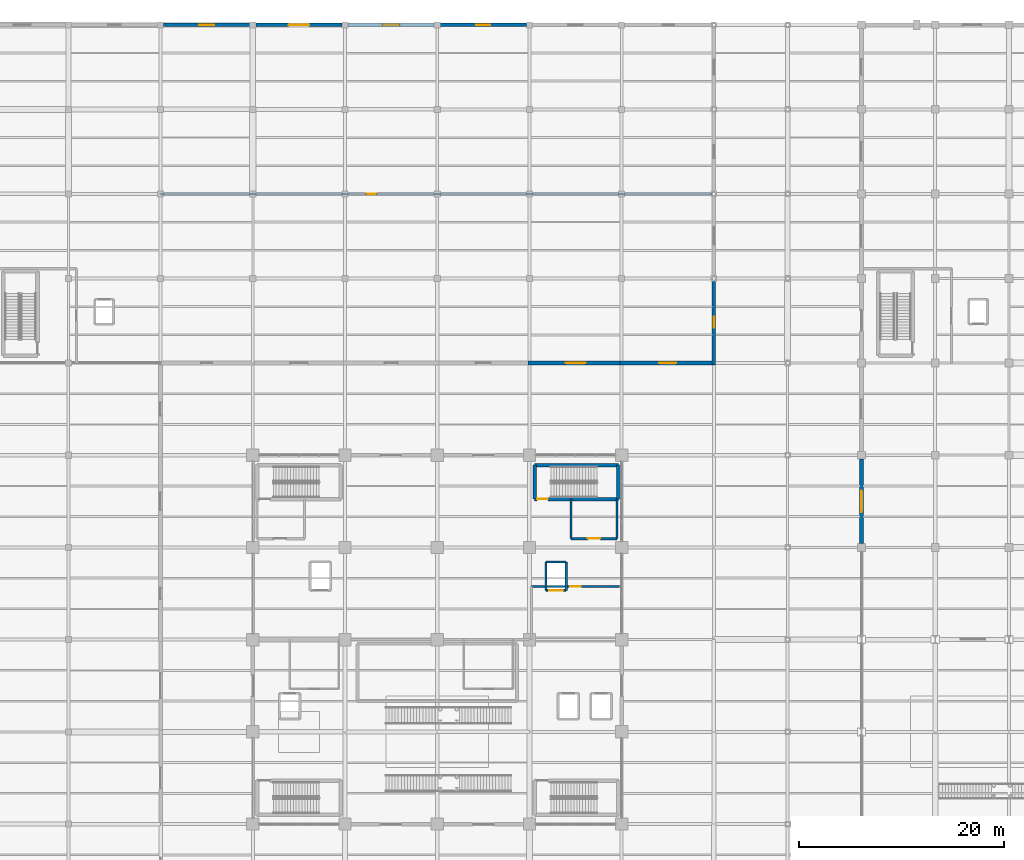
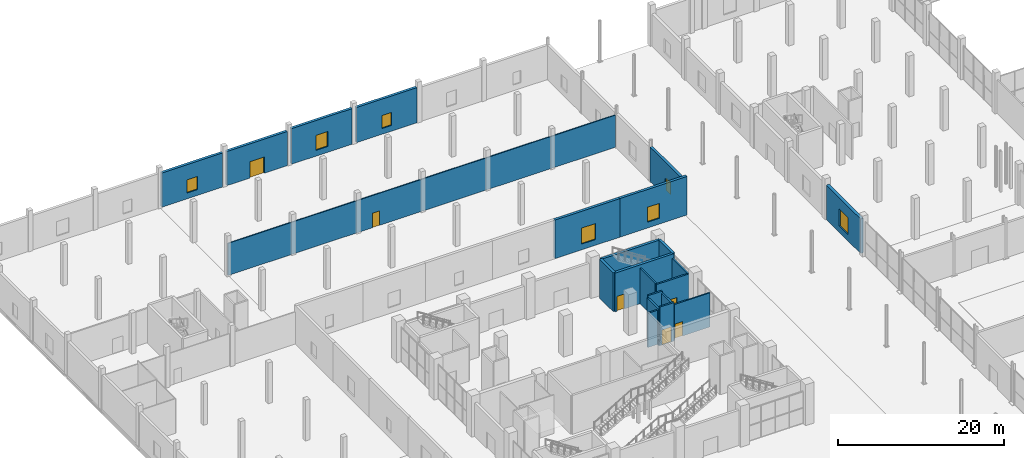
# One storey, part 128 of 144: 21 walls, 7 windows, 6 doors, 13 openings.
"""IFC4 building model written with IfcOpenShell, lengths in metres."""

from ifc_helpers import new_model, si_unit, direction, frame, frame_2d, origin, place, context, subcontext, project, spatial, rectangle, extrude, material, layer, layer_set, type_object, element, fill, save


model = new_model("IFC4")

# Units and contexts
model_context = context("Model", 3, precision=1e-05, world=origin(), true_north=direction((0.0, 1.0)))
body_context = subcontext(model_context, "Body", "Model", "MODEL_VIEW")
ifc_project = project(units=[si_unit("LENGTHUNIT", "METRE"), si_unit("AREAUNIT", "SQUARE_METRE"), si_unit("VOLUMEUNIT", "CUBIC_METRE"), si_unit("PLANEANGLEUNIT", "RADIAN"), si_unit("MASSUNIT", "GRAM", prefix="KILO")], contexts=[model_context])

# Site, building, storey
site_placement = place(None, origin())
site = spatial("IfcSite", under=ifc_project, at=site_placement, CompositionType="ELEMENT")
building_placement = place(site_placement, origin())
building = spatial("IfcBuilding", under=site, at=building_placement, Name="Sundgate Opera House", CompositionType="ELEMENT")
storey_placement = place(building_placement, origin())
storey = spatial("IfcBuildingStorey", under=building, at=storey_placement, Name="L00", CompositionType="ELEMENT", Elevation=0.0)

# Wall, opening, door
ifc_material_1 = material(Name="Concrete C40/50", Category="concrete")
ifc_layer_1 = layer(ifc_material_1, 0.35009765625)
ifc_layer_set_1 = layer_set([ifc_layer_1], Name="Concrete C40/50")
wall_type_1 = type_object("IfcWallType", Name="WL-CORE-350", PredefinedType="SHEAR", material=ifc_layer_set_1)
wall_1_placement = place(storey_placement, frame((63.510009765625, 73.7099609375, 0.0), z_axis=(0.0, 0.0, 1.0), x_axis=(1.0, 0.0, 0.0)))
wall_1 = element("IfcWall", 1, at=wall_1_placement, inside=storey, type_object=wall_type_1, Name="L00 C4 South Shaft Wall", PredefinedType="SHEAR", context=body_context, shape_type="SweptSolid", body=[
    extrude(rectangle(XDim=8.179931640625, YDim=0.35009765625, at=frame_2d((4.08984375, 0.0))), origin(), (0.0, 0.0, 1.0), 5.699951171875),
])
opening_1_placement = place(wall_1_placement, frame((0.239990234375, 0.0, 0.0)))
opening_1 = element("IfcOpeningElement", 2, at=opening_1_placement, cuts=wall_1, Name="Opening DI01", PredefinedType="OPENING", context=body_context, shape_type="SweptSolid", body=[
    extrude(rectangle(XDim=1.050048828125, YDim=2.179931640625, at=frame_2d((0.52490234375, 1.08984375))), frame((0.0, 0.18505859375, 0.0), z_axis=(0.0, -1.0, 0.0), x_axis=(1.0, 0.0, 0.0)), (0.0, 0.0, 1.0), 0.3701171875),
])
ifc_material_2 = material(Name="Acoustic hardwood timber and steel core", Category="steel")
door_type_1 = type_object("IfcDoorType", Name="DR-STAIR-1050x2180", OperationType="NOTDEFINED", PredefinedType="DOOR", material=ifc_material_2)
door_1_placement = place(opening_1_placement, origin())
door_1 = element("IfcDoor", 3, at=door_1_placement, inside=storey, type_object=door_type_1, Name="L00 C4 Stair Door D0058", OperationType="SINGLE_SWING_RIGHT", OverallHeight=2.179931640625, OverallWidth=1.050048828125, PredefinedType="DOOR", context=body_context, shape_type="SweptSolid", body=[
    extrude(rectangle(XDim=1.050048828125, YDim=2.179931640625, at=frame_2d((0.52490234375, 1.08984375))), frame((0.0, 0.02490234375, 0.0), z_axis=(0.0, -1.0, 0.0), x_axis=(1.0, 0.0, 0.0)), (0.0, 0.0, 1.0), 0.050048828125),
])
fill(opening_1, door_1)

# Walls
wall_2_placement = place(storey_placement, frame((63.510009765625, 77.0400390625, 0.0), z_axis=(0.0, 0.0, 1.0), x_axis=(1.0, 0.0, 0.0)))
element("IfcWall", 4, at=wall_2_placement, inside=storey, type_object=wall_type_1, Name="L00 C4 North Shaft Wall", PredefinedType="SHEAR", context=body_context, shape_type="SweptSolid", body=[
    extrude(rectangle(XDim=8.179931640625, YDim=0.35009765625, at=frame_2d((4.08984375, 0.0))), origin(), (0.0, 0.0, 1.0), 5.699951171875),
])
for number, where, z_axis, x_axis, name in (
    (5, (63.510009765625, 73.7099609375, 0.0), (0.0, 0.0, 1.0), (0.0, 1.0, 0.0), "L00 C4 West Shaft Wall"),
    (6, (71.68994140625, 73.7099609375, 0.0), (0.0, 0.0, 1.0), (0.0, 1.0, 0.0), "L00 C4 East Shaft Wall"),
):
    element("IfcWall", number, at=place(storey_placement, frame(where, z_axis=z_axis, x_axis=x_axis)), inside=storey, type_object=wall_type_1, Name=name, PredefinedType="SHEAR", context=body_context, shape_type="SweptSolid", body=[
        extrude(rectangle(XDim=3.330078125, YDim=0.35009765625, at=frame_2d((1.6650390625, 0.0))), origin(), (0.0, 0.0, 1.0), 5.699951171875),
    ])

# Wall, opening, window
ifc_material_3 = material(Name="Scanian red-brown facing brick masonry", Category="masonry")
ifc_layer_2 = layer(ifc_material_3, 0.360107421875)
ifc_layer_set_2 = layer_set([ifc_layer_2], Name="Scanian red-brown facing brick masonry")
wall_type_2 = type_object("IfcWallType", Name="WL-EXT-BRICK-360", PredefinedType="SOLIDWALL", material=ifc_layer_set_2)
wall_3_placement = place(storey_placement, frame((27.294921875, 120.0, 0.0), z_axis=(0.0, 0.0, 1.0), x_axis=(1.0, 0.0, 0.0)))
wall_3 = element("IfcWall", 7, at=wall_3_placement, inside=storey, type_object=wall_type_2, Name="L00 Costume Wing North Wall W0350", PredefinedType="SOLIDWALL", context=body_context, shape_type="SweptSolid", body=[
    extrude(rectangle(XDim=8.41015625, YDim=0.360107421875, at=frame_2d((4.205078125, 0.0))), origin(), (0.0, 0.0, 1.0), 5.014892578125),
])
opening_2_placement = place(wall_3_placement, frame((3.47998046875, 0.0, 0.85009765625)))
opening_2 = element("IfcOpeningElement", 8, at=opening_2_placement, cuts=wall_3, Name="Opening W15", PredefinedType="OPENING", context=body_context, shape_type="SweptSolid", body=[
    extrude(rectangle(XDim=1.449951171875, YDim=1.949951171875, at=frame_2d((0.72509765625, 0.97509765625))), frame((0.0, 0.18994140625, 0.0), z_axis=(0.0, -1.0, 0.0), x_axis=(1.0, 0.0, 0.0)), (0.0, 0.0, 1.0), 0.380126953125),
])
ifc_material_4 = material(Name="Low-iron triple glazing in patinated bronze frame", Category="glass")
window_type_1 = type_object("IfcWindowType", Name="WN-LIBR-1450x1950", PartitioningType="SINGLE_PANEL", PredefinedType="WINDOW", material=ifc_material_4)
window_1_placement = place(opening_2_placement, origin())
window_1 = element("IfcWindow", 9, at=window_1_placement, inside=storey, type_object=window_type_1, Name="L00 Costume Pavilion Window WN0267", OverallHeight=1.949951171875, OverallWidth=1.449951171875, PartitioningType="SINGLE_PANEL", PredefinedType="WINDOW", context=body_context, shape_type="SweptSolid", body=[
    extrude(rectangle(XDim=1.449951171875, YDim=1.949951171875, at=frame_2d((0.72509765625, 0.97509765625))), frame((0.0, 0.030029296875, 0.0), z_axis=(0.0, -1.0, 0.0), x_axis=(1.0, 0.0, 0.0)), (0.0, 0.0, 1.0), 0.06005859375),
])
fill(opening_2, window_1)

# Wall, opening, door
wall_4_placement = place(storey_placement, frame((36.294921875, 120.0, 0.0), z_axis=(0.0, 0.0, 1.0), x_axis=(1.0, 0.0, 0.0)))
wall_4 = element("IfcWall", 10, at=wall_4_placement, inside=storey, type_object=wall_type_2, Name="L00 Costume Wing North Wall W0351", PredefinedType="SOLIDWALL", context=body_context, shape_type="SweptSolid", body=[
    extrude(rectangle(XDim=8.41015625, YDim=0.360107421875, at=frame_2d((4.205078125, 0.0))), origin(), (0.0, 0.0, 1.0), 5.014892578125),
])
opening_3_placement = place(wall_4_placement, frame((3.205078125, 0.0, 0.0)))
opening_3 = element("IfcOpeningElement", 11, at=opening_3_placement, cuts=wall_4, Name="Opening DE1", PredefinedType="OPENING", context=body_context, shape_type="SweptSolid", body=[
    extrude(rectangle(XDim=2.0, YDim=2.39990234375, at=frame_2d((1.0, 1.199951171875))), frame((0.0, 0.18994140625, 0.0), z_axis=(0.0, -1.0, 0.0), x_axis=(1.0, 0.0, 0.0)), (0.0, 0.0, 1.0), 0.380126953125),
])
ifc_material_5 = material(Name="Patinated bronze and laminated safety glass", Category="glass")
door_type_2 = type_object("IfcDoorType", Name="DR-EXIT-2000x2400", OperationType="NOTDEFINED", PredefinedType="DOOR", material=ifc_material_5)
door_2_placement = place(opening_3_placement, origin())
door_2 = element("IfcDoor", 12, at=door_2_placement, inside=storey, type_object=door_type_2, Name="L00 Final Exit Door E18", OperationType="DOUBLE_DOOR_SINGLE_SWING", OverallHeight=2.39990234375, OverallWidth=2.0, PredefinedType="DOOR", context=body_context, shape_type="SweptSolid", body=[
    extrude(rectangle(XDim=2.0, YDim=2.39990234375, at=frame_2d((1.0, 1.199951171875))), frame((0.0, 0.02490234375, 0.0), z_axis=(0.0, -1.0, 0.0), x_axis=(1.0, 0.0, 0.0)), (0.0, 0.0, 1.0), 0.050048828125),
])
fill(opening_3, door_2)

# Wall, opening, window
wall_5_placement = place(storey_placement, frame((45.294921875, 120.0, 0.0), z_axis=(0.0, 0.0, 1.0), x_axis=(1.0, 0.0, 0.0)))
wall_5 = element("IfcWall", 13, at=wall_5_placement, inside=storey, type_object=wall_type_2, Name="L00 Costume Wing North Wall W0352", PredefinedType="SOLIDWALL", context=body_context, shape_type="SweptSolid", body=[
    extrude(rectangle(XDim=8.41015625, YDim=0.360107421875, at=frame_2d((4.205078125, 0.0))), origin(), (0.0, 0.0, 1.0), 5.22509765625),
])
opening_4_placement = place(wall_5_placement, frame((3.3798828125, 0.0, 0.85009765625)))
opening_4 = element("IfcOpeningElement", 14, at=opening_4_placement, cuts=wall_5, Name="Opening W09", PredefinedType="OPENING", context=body_context, shape_type="SweptSolid", body=[
    extrude(rectangle(XDim=1.64990234375, YDim=2.199951171875, at=frame_2d((0.824951171875, 1.10009765625))), frame((0.0, 0.18994140625, 0.0), z_axis=(0.0, -1.0, 0.0), x_axis=(1.0, 0.0, 0.0)), (0.0, 0.0, 1.0), 0.380126953125),
])
ifc_material_6 = material(Name="Low-iron triple glazing in patinated bronze frame", Category="glass")
window_type_2 = type_object("IfcWindowType", Name="WN-COST-1650x2200", PartitioningType="SINGLE_PANEL", PredefinedType="WINDOW", material=ifc_material_6)
window_2_placement = place(opening_4_placement, origin())
window_2 = element("IfcWindow", 15, at=window_2_placement, inside=storey, type_object=window_type_2, Name="L00 Costume Pavilion Window WN0268", OverallHeight=2.199951171875, OverallWidth=1.64990234375, PartitioningType="SINGLE_PANEL", PredefinedType="WINDOW", context=body_context, shape_type="SweptSolid", body=[
    extrude(rectangle(XDim=1.64990234375, YDim=2.199951171875, at=frame_2d((0.824951171875, 1.10009765625))), frame((0.0, 0.030029296875, 0.0), z_axis=(0.0, -1.0, 0.0), x_axis=(1.0, 0.0, 0.0)), (0.0, 0.0, 1.0), 0.06005859375),
])
fill(opening_4, window_2)

wall_6_placement = place(storey_placement, frame((54.294921875, 120.0, 0.0), z_axis=(0.0, 0.0, 1.0), x_axis=(1.0, 0.0, 0.0)))
wall_6 = element("IfcWall", 16, at=wall_6_placement, inside=storey, type_object=wall_type_2, Name="L00 Costume Wing North Wall W0353", PredefinedType="SOLIDWALL", context=body_context, shape_type="SweptSolid", body=[
    extrude(rectangle(XDim=8.41015625, YDim=0.360107421875, at=frame_2d((4.205078125, 0.0))), origin(), (0.0, 0.0, 1.0), 5.1650390625),
])
opening_5_placement = place(wall_6_placement, frame((3.530029296875, 0.0, 0.85009765625)))
opening_5 = element("IfcOpeningElement", 17, at=opening_5_placement, cuts=wall_6, Name="Opening W10", PredefinedType="OPENING", context=body_context, shape_type="SweptSolid", body=[
    extrude(rectangle(XDim=1.35009765625, YDim=1.89990234375, at=frame_2d((0.675048828125, 0.949951171875))), frame((0.0, 0.18994140625, 0.0), z_axis=(0.0, -1.0, 0.0), x_axis=(1.0, 0.0, 0.0)), (0.0, 0.0, 1.0), 0.380126953125),
])
ifc_material_7 = material(Name="Low-iron triple glazing in patinated bronze frame", Category="glass")
window_type_3 = type_object("IfcWindowType", Name="WN-COST-1350x1900", PartitioningType="SINGLE_PANEL", PredefinedType="WINDOW", material=ifc_material_7)
window_3_placement = place(opening_5_placement, origin())
window_3 = element("IfcWindow", 18, at=window_3_placement, inside=storey, type_object=window_type_3, Name="L00 Costume Pavilion Window WN0269", OverallHeight=1.89990234375, OverallWidth=1.35009765625, PartitioningType="SINGLE_PANEL", PredefinedType="WINDOW", context=body_context, shape_type="SweptSolid", body=[
    extrude(rectangle(XDim=1.35009765625, YDim=1.89990234375, at=frame_2d((0.675048828125, 0.949951171875))), frame((0.0, 0.030029296875, 0.0), z_axis=(0.0, -1.0, 0.0), x_axis=(1.0, 0.0, 0.0)), (0.0, 0.0, 1.0), 0.06005859375),
])
fill(opening_5, window_3)

wall_7_placement = place(storey_placement, frame((81.0, 86.840087890625, 0.0), z_axis=(0.0, 0.0, 1.0), x_axis=(0.0, 1.0, 0.0)))
wall_7 = element("IfcWall", 19, at=wall_7_placement, inside=storey, type_object=wall_type_2, Name="L00 Costume Wing East Wall W0360", PredefinedType="SOLIDWALL", context=body_context, shape_type="SweptSolid", body=[
    extrude(rectangle(XDim=8.27783203125, YDim=0.360107421875, at=frame_2d((4.138916015625, 0.0))), origin(), (0.0, 0.0, 1.0), 5.06494140625),
])
opening_6_placement = place(wall_7_placement, frame((3.589111328125, 0.0, 0.85009765625)))
opening_6 = element("IfcOpeningElement", 20, at=opening_6_placement, cuts=wall_7, Name="Opening W12", PredefinedType="OPENING", context=body_context, shape_type="SweptSolid", body=[
    extrude(rectangle(XDim=1.10009765625, YDim=1.800048828125, at=frame_2d((0.550048828125, 0.89990234375))), frame((0.0, 0.18994140625, 0.0), z_axis=(0.0, -1.0, 0.0), x_axis=(1.0, 0.0, 0.0)), (0.0, 0.0, 1.0), 0.380126953125),
])
ifc_material_8 = material(Name="Low-iron triple glazing in patinated bronze frame", Category="glass")
window_type_4 = type_object("IfcWindowType", Name="WN-STAGE-1100x1800", PartitioningType="SINGLE_PANEL", PredefinedType="WINDOW", material=ifc_material_8)
window_4_placement = place(opening_6_placement, origin())
window_4 = element("IfcWindow", 21, at=window_4_placement, inside=storey, type_object=window_type_4, Name="L00 Costume Pavilion Window WN0275", OverallHeight=1.800048828125, OverallWidth=1.10009765625, PartitioningType="SINGLE_PANEL", PredefinedType="WINDOW", context=body_context, shape_type="SweptSolid", body=[
    extrude(rectangle(XDim=1.10009765625, YDim=1.800048828125, at=frame_2d((0.550048828125, 0.89990234375))), frame((0.0, 0.030029296875, 0.0), z_axis=(0.0, -1.0, 0.0), x_axis=(1.0, 0.0, 0.0)), (0.0, 0.0, 1.0), 0.06005859375),
])
fill(opening_6, window_4)

wall_8_placement = place(storey_placement, frame((72.159912109375, 87.0, 0.0), z_axis=(0.0, 0.0, 1.0), x_axis=(-1.0, 0.0, 0.0)))
wall_8 = element("IfcWall", 22, at=wall_8_placement, inside=storey, type_object=wall_type_2, Name="L00 Costume Wing South Wall W0374", PredefinedType="SOLIDWALL", context=body_context, shape_type="SweptSolid", body=[
    extrude(rectangle(XDim=9.31982421875, YDim=0.360107421875, at=frame_2d((4.659912109375, 0.0))), origin(), (0.0, 0.0, 1.0), 5.6650390625),
])
opening_7_placement = place(wall_8_placement, frame((3.68505859375, 0.0, 0.85009765625)))
opening_7 = element("IfcOpeningElement", 23, at=opening_7_placement, cuts=wall_8, Name="Opening W16", PredefinedType="OPENING", context=body_context, shape_type="SweptSolid", body=[
    extrude(rectangle(XDim=1.949951171875, YDim=2.35009765625, at=frame_2d((0.97509765625, 1.175048828125))), frame((0.0, 0.18994140625, 0.0), z_axis=(0.0, -1.0, 0.0), x_axis=(1.0, 0.0, 0.0)), (0.0, 0.0, 1.0), 0.380126953125),
])
ifc_material_9 = material(Name="Low-iron triple glazing in patinated bronze frame", Category="glass")
window_type_5 = type_object("IfcWindowType", Name="WN-REHR-1950x2350", PartitioningType="SINGLE_PANEL", PredefinedType="WINDOW", material=ifc_material_9)
window_5_placement = place(opening_7_placement, origin())
window_5 = element("IfcWindow", 24, at=window_5_placement, inside=storey, type_object=window_type_5, Name="L00 Costume Pavilion Window WN0288", OverallHeight=2.35009765625, OverallWidth=1.949951171875, PartitioningType="SINGLE_PANEL", PredefinedType="WINDOW", context=body_context, shape_type="SweptSolid", body=[
    extrude(rectangle(XDim=1.949951171875, YDim=2.35009765625, at=frame_2d((0.97509765625, 1.175048828125))), frame((0.0, 0.030029296875, 0.0), z_axis=(0.0, -1.0, 0.0), x_axis=(1.0, 0.0, 0.0)), (0.0, 0.0, 1.0), 0.06005859375),
])
fill(opening_7, window_5)

wall_9_placement = place(storey_placement, frame((81.159912109375, 87.0, 0.0), z_axis=(0.0, 0.0, 1.0), x_axis=(-1.0, 0.0, 0.0)))
wall_9 = element("IfcWall", 25, at=wall_9_placement, inside=storey, type_object=wall_type_2, Name="L00 Costume Wing South Wall W0375", PredefinedType="SOLIDWALL", context=body_context, shape_type="SweptSolid", body=[
    extrude(rectangle(XDim=9.31982421875, YDim=0.360107421875, at=frame_2d((4.659912109375, 0.0))), origin(), (0.0, 0.0, 1.0), 5.6650390625),
])
opening_8_placement = place(wall_9_placement, frame((3.8349609375, 0.0, 0.85009765625)))
opening_8 = element("IfcOpeningElement", 26, at=opening_8_placement, cuts=wall_9, Name="Opening W09", PredefinedType="OPENING", context=body_context, shape_type="SweptSolid", body=[
    extrude(rectangle(XDim=1.64990234375, YDim=2.199951171875, at=frame_2d((0.824951171875, 1.10009765625))), frame((0.0, 0.18994140625, 0.0), z_axis=(0.0, -1.0, 0.0), x_axis=(1.0, 0.0, 0.0)), (0.0, 0.0, 1.0), 0.380126953125),
])
window_6_placement = place(opening_8_placement, origin())
window_6 = element("IfcWindow", 27, at=window_6_placement, inside=storey, type_object=window_type_2, Name="L00 Costume Pavilion Window WN0289", OverallHeight=2.199951171875, OverallWidth=1.64990234375, PartitioningType="SINGLE_PANEL", PredefinedType="WINDOW", context=body_context, shape_type="SweptSolid", body=[
    extrude(rectangle(XDim=1.64990234375, YDim=2.199951171875, at=frame_2d((0.824951171875, 1.10009765625))), frame((0.0, 0.030029296875, 0.0), z_axis=(0.0, -1.0, 0.0), x_axis=(1.0, 0.0, 0.0)), (0.0, 0.0, 1.0), 0.06005859375),
])
fill(opening_8, window_6)

ifc_material_10 = material(Name="Scanian red-brown facing brick masonry", Category="masonry")
ifc_layer_3 = layer(ifc_material_10, 0.389892578125)
ifc_layer_set_3 = layer_set([ifc_layer_3], Name="Scanian red-brown facing brick masonry")
wall_type_3 = type_object("IfcWallType", Name="WL-EXT-BRICK-390", PredefinedType="SOLIDWALL", material=ifc_layer_set_3)
wall_10_placement = place(storey_placement, frame((95.39990234375, 77.6298828125, 0.0), z_axis=(0.0, 0.0, 1.0), x_axis=(0.0, -1.0, 0.0)))
wall_10 = element("IfcWall", 28, at=wall_10_placement, inside=storey, type_object=wall_type_3, Name="L00 Conservatory West Brick Wall W0187", PredefinedType="SOLIDWALL", context=body_context, shape_type="SweptSolid", body=[
    extrude(rectangle(XDim=8.259765625, YDim=0.389892578125, at=frame_2d((4.1298828125, 0.0))), origin(), (0.0, 0.0, 1.0), 5.06494140625),
])
opening_9_placement = place(wall_10_placement, frame((3.080078125, 0.0, 0.89990234375)))
opening_9 = element("IfcOpeningElement", 29, at=opening_9_placement, cuts=wall_10, Name="Opening W04", PredefinedType="OPENING", context=body_context, shape_type="SweptSolid", body=[
    extrude(rectangle(XDim=2.10009765625, YDim=2.5, at=frame_2d((1.050048828125, 1.25))), frame((0.0, 0.204833984375, 0.0), z_axis=(0.0, -1.0, 0.0), x_axis=(1.0, 0.0, 0.0)), (0.0, 0.0, 1.0), 0.409912109375),
])
ifc_material_11 = material(Name="Low-iron triple glazing in patinated bronze frame", Category="glass")
window_type_6 = type_object("IfcWindowType", Name="WN-CONS-2100x2500", PartitioningType="SINGLE_PANEL", PredefinedType="WINDOW", material=ifc_material_11)
window_7_placement = place(opening_9_placement, origin())
window_7 = element("IfcWindow", 30, at=window_7_placement, inside=storey, type_object=window_type_6, Name="L00 Conservatory Window WN0147", OverallHeight=2.5, OverallWidth=2.10009765625, PartitioningType="SINGLE_PANEL", PredefinedType="WINDOW", context=body_context, shape_type="SweptSolid", body=[
    extrude(rectangle(XDim=2.10009765625, YDim=2.5, at=frame_2d((1.050048828125, 1.25))), frame((0.0, 0.030029296875, 0.0), z_axis=(0.0, -1.0, 0.0), x_axis=(1.0, 0.0, 0.0)), (0.0, 0.0, 1.0), 0.06005859375),
])
fill(opening_9, window_7)

# Wall, opening, door
ifc_material_12 = material(Name="Fire-rated corridor partition", Category="gypsum")
ifc_layer_4 = layer(ifc_material_12, 0.199951171875)
ifc_layer_set_4 = layer_set([ifc_layer_4], Name="Fire-rated corridor partition")
wall_type_4 = type_object("IfcWallType", Name="WL-INT-FIRE-200", PredefinedType="PARTITIONING", material=ifc_layer_set_4)
wall_11_placement = place(storey_placement, frame((63.199951171875, 65.199951171875, 0.0), z_axis=(0.0, 0.0, 1.0), x_axis=(1.0, 0.0, 0.0)))
wall_11 = element("IfcWall", 31, at=wall_11_placement, inside=storey, type_object=wall_type_4, Name="L00 Interior Partition W0996", PredefinedType="PARTITIONING", context=body_context, shape_type="SweptSolid", body=[
    extrude(rectangle(XDim=8.60009765625, YDim=0.199951171875, at=frame_2d((4.300048828125, 0.0))), origin(), (0.0, 0.0, 1.0), 5.014892578125),
])
opening_10_placement = place(wall_11_placement, frame((3.77490234375, 0.0, 0.0)))
opening_10 = element("IfcOpeningElement", 32, at=opening_10_placement, cuts=wall_11, Name="Opening DI08", PredefinedType="OPENING", context=body_context, shape_type="SweptSolid", body=[
    extrude(rectangle(XDim=1.050048828125, YDim=2.1201171875, at=frame_2d((0.52490234375, 1.06005859375))), frame((0.0, 0.10986328125, 0.0), z_axis=(0.0, -1.0, 0.0), x_axis=(1.0, 0.0, 0.0)), (0.0, 0.0, 1.0), 0.219970703125),
])
ifc_material_13 = material(Name="Acoustic hardwood timber and steel core", Category="steel")
door_type_3 = type_object("IfcDoorType", Name="DR-ROOM-1050x2120", OperationType="NOTDEFINED", PredefinedType="DOOR", material=ifc_material_13)
door_3_placement = place(opening_10_placement, origin())
door_3 = element("IfcDoor", 33, at=door_3_placement, inside=storey, type_object=door_type_3, Name="L00 Interior Door D0175", OperationType="SINGLE_SWING_RIGHT", OverallHeight=2.1201171875, OverallWidth=1.050048828125, PredefinedType="DOOR", context=body_context, shape_type="SweptSolid", body=[
    extrude(rectangle(XDim=1.050048828125, YDim=2.1201171875, at=frame_2d((0.52490234375, 1.06005859375))), frame((0.0, 0.02490234375, 0.0), z_axis=(0.0, -1.0, 0.0), x_axis=(1.0, 0.0, 0.0)), (0.0, 0.0, 1.0), 0.050048828125),
])
fill(opening_10, door_3)

ifc_material_14 = material(Name="Fire-rated gypsum and mineral-wool shaft partition", Category="gypsum")
ifc_layer_5 = layer(ifc_material_14, 0.219970703125)
ifc_layer_set_5 = layer_set([ifc_layer_5], Name="Fire-rated gypsum and mineral-wool shaft partition")
wall_type_5 = type_object("IfcWallType", Name="WL-INT-FIRE-220", PredefinedType="PARTITIONING", material=ifc_layer_set_5)
wall_12_placement = place(storey_placement, frame((67.050048828125, 69.85009765625, 0.0), z_axis=(0.0, 0.0, 1.0), x_axis=(1.0, 0.0, 0.0)))
wall_12 = element("IfcWall", 34, at=wall_12_placement, inside=storey, type_object=wall_type_5, Name="L00 C4 Firefighting Lobby South Wall", PredefinedType="PARTITIONING", context=body_context, shape_type="SweptSolid", body=[
    extrude(rectangle(XDim=4.5, YDim=0.219970703125, at=frame_2d((2.25, 0.0))), origin(), (0.0, 0.0, 1.0), 5.06494140625),
])
opening_11_placement = place(wall_12_placement, frame((1.64990234375, 0.0, 0.0)))
opening_11 = element("IfcOpeningElement", 35, at=opening_11_placement, cuts=wall_12, Name="Opening DI02", PredefinedType="OPENING", context=body_context, shape_type="SweptSolid", body=[
    extrude(rectangle(XDim=1.199951171875, YDim=2.179931640625, at=frame_2d((0.60009765625, 1.08984375))), frame((0.0, 0.119873046875, 0.0), z_axis=(0.0, -1.0, 0.0), x_axis=(1.0, 0.0, 0.0)), (0.0, 0.0, 1.0), 0.239990234375),
])
ifc_material_15 = material(Name="Acoustic hardwood timber and steel core", Category="steel")
door_type_4 = type_object("IfcDoorType", Name="DR-FFLOB-1200x2180", OperationType="NOTDEFINED", PredefinedType="DOOR", material=ifc_material_15)
door_4_placement = place(opening_11_placement, origin())
door_4 = element("IfcDoor", 36, at=door_4_placement, inside=storey, type_object=door_type_4, Name="L00 C4 Firefighting Lobby Door D0059", OperationType="SINGLE_SWING_LEFT", OverallHeight=2.179931640625, OverallWidth=1.199951171875, PredefinedType="DOOR", context=body_context, shape_type="SweptSolid", body=[
    extrude(rectangle(XDim=1.199951171875, YDim=2.179931640625, at=frame_2d((0.60009765625, 1.08984375))), frame((0.0, 0.02490234375, 0.0), z_axis=(0.0, -1.0, 0.0), x_axis=(1.0, 0.0, 0.0)), (0.0, 0.0, 1.0), 0.050048828125),
])
fill(opening_11, door_4)

# Walls
wall_13_placement = place(storey_placement, frame((67.050048828125, 69.85009765625, 0.0), z_axis=(0.0, 0.0, 1.0), x_axis=(0.0, 1.0, 0.0)))
element("IfcWall", 37, at=wall_13_placement, inside=storey, type_object=wall_type_5, Name="L00 C4 Firefighting Lobby West Wall", PredefinedType="PARTITIONING", context=body_context, shape_type="SweptSolid", body=[
    extrude(rectangle(XDim=3.85986328125, YDim=0.219970703125, at=frame_2d((1.929931640625, 0.0))), origin(), (0.0, 0.0, 1.0), 5.215087890625),
])
wall_14_placement = place(storey_placement, frame((71.550048828125, 69.85009765625, 0.0), z_axis=(0.0, 0.0, 1.0), x_axis=(0.0, 1.0, 0.0)))
element("IfcWall", 38, at=wall_14_placement, inside=storey, type_object=wall_type_5, Name="L00 C4 Firefighting Lobby East Wall", PredefinedType="PARTITIONING", context=body_context, shape_type="SweptSolid", body=[
    extrude(rectangle(XDim=3.85986328125, YDim=0.219970703125, at=frame_2d((1.929931640625, 0.0))), origin(), (0.0, 0.0, 1.0), 5.06494140625),
])

# Wall, opening, door
wall_15_placement = place(storey_placement, frame((64.610107421875, 64.81005859375, 0.0), z_axis=(0.0, 0.0, 1.0), x_axis=(1.0, 0.0, 0.0)))
wall_15 = element("IfcWall", 39, at=wall_15_placement, inside=storey, type_object=wall_type_5, Name="L00 FF2 South Shaft Wall", PredefinedType="PARTITIONING", context=body_context, shape_type="SweptSolid", body=[
    extrude(rectangle(XDim=1.97998046875, YDim=0.219970703125, at=frame_2d((0.989990234375, 0.0))), origin(), (0.0, 0.0, 1.0), 5.6650390625),
])
opening_12_placement = place(wall_15_placement, frame((0.340087890625, 0.0, 0.0)))
opening_12 = element("IfcOpeningElement", 40, at=opening_12_placement, cuts=wall_15, Name="Opening LD2", PredefinedType="OPENING", context=body_context, shape_type="SweptSolid", body=[
    extrude(rectangle(XDim=1.300048828125, YDim=2.199951171875, at=frame_2d((0.64990234375, 1.10009765625))), frame((0.0, 0.119873046875, 0.0), z_axis=(0.0, -1.0, 0.0), x_axis=(1.0, 0.0, 0.0)), (0.0, 0.0, 1.0), 0.239990234375),
])
ifc_material_16 = material(Name="Brushed stainless steel EN 1.4301", Category="steel")
door_type_5 = type_object("IfcDoorType", Name="DR-LIFT-1300x2200", OperationType="DOUBLE_DOOR_SLIDING", PredefinedType="DOOR", material=ifc_material_16)
door_5_placement = place(opening_12_placement, origin())
door_5 = element("IfcDoor", 41, at=door_5_placement, inside=storey, type_object=door_type_5, Name="L00 FF2 Landing Door D0137", OperationType="DOUBLE_DOOR_SLIDING", OverallHeight=2.199951171875, OverallWidth=1.300048828125, PredefinedType="DOOR", context=body_context, shape_type="SweptSolid", body=[
    extrude(rectangle(XDim=1.300048828125, YDim=2.199951171875, at=frame_2d((0.64990234375, 1.10009765625))), frame((0.0, 0.02490234375, 0.0), z_axis=(0.0, -1.0, 0.0), x_axis=(1.0, 0.0, 0.0)), (0.0, 0.0, 1.0), 0.050048828125),
])
fill(opening_12, door_5)

# Walls
wall_16_placement = place(storey_placement, frame((64.610107421875, 67.590087890625, 0.0), z_axis=(0.0, 0.0, 1.0), x_axis=(1.0, 0.0, 0.0)))
element("IfcWall", 42, at=wall_16_placement, inside=storey, type_object=wall_type_5, Name="L00 FF2 North Shaft Wall", PredefinedType="PARTITIONING", context=body_context, shape_type="SweptSolid", body=[
    extrude(rectangle(XDim=1.97998046875, YDim=0.219970703125, at=frame_2d((0.989990234375, 0.0))), origin(), (0.0, 0.0, 1.0), 5.6650390625),
])
for number, where, z_axis, x_axis, name in (
    (43, (64.610107421875, 64.81005859375, 0.0), (0.0, 0.0, 1.0), (0.0, 1.0, 0.0), "L00 FF2 West Shaft Wall"),
    (44, (66.590087890625, 64.81005859375, 0.0), (0.0, 0.0, 1.0), (0.0, 1.0, 0.0), "L00 FF2 East Shaft Wall"),
):
    element("IfcWall", number, at=place(storey_placement, frame(where, z_axis=z_axis, x_axis=x_axis)), inside=storey, type_object=wall_type_5, Name=name, PredefinedType="PARTITIONING", context=body_context, shape_type="SweptSolid", body=[
        extrude(rectangle(XDim=2.780029296875, YDim=0.219970703125, at=frame_2d((1.39013671875, 0.0))), origin(), (0.0, 0.0, 1.0), 5.364990234375),
    ])

# Wall, opening, door
ifc_material_17 = material(Name="General studio partition", Category="gypsum")
ifc_layer_6 = layer(ifc_material_17, 0.14501953125)
ifc_layer_set_6 = layer_set([ifc_layer_6], Name="General studio partition")
wall_type_6 = type_object("IfcWallType", Name="WL-INT-PART-145", PredefinedType="PARTITIONING", material=ifc_layer_set_6)
wall_17_placement = place(storey_placement, frame((27.0, 103.5, 0.0), z_axis=(0.0, 0.0, 1.0), x_axis=(1.0, 0.0, 0.0)))
wall_17 = element("IfcWall", 45, at=wall_17_placement, inside=storey, type_object=wall_type_6, Name="L00 Interior Partition W1019", PredefinedType="PARTITIONING", context=body_context, shape_type="SweptSolid", body=[
    extrude(rectangle(XDim=53.800048828125, YDim=0.14501953125, at=frame_2d((26.89990234375, 0.0))), origin(), (0.0, 0.0, 1.0), 4.715087890625),
])
opening_13_placement = place(wall_17_placement, frame((20.06396484375, 0.0, 0.0)))
opening_13 = element("IfcOpeningElement", 46, at=opening_13_placement, cuts=wall_17, Name="Opening DI10", PredefinedType="OPENING", context=body_context, shape_type="SweptSolid", body=[
    extrude(rectangle(XDim=1.0, YDim=2.1201171875, at=frame_2d((0.5, 1.06005859375))), frame((0.0, 0.08251953125, 0.0), z_axis=(0.0, -1.0, 0.0), x_axis=(1.0, 0.0, 0.0)), (0.0, 0.0, 1.0), 0.1650390625),
])
ifc_material_18 = material(Name="Acoustic hardwood timber and steel core", Category="steel")
door_type_6 = type_object("IfcDoorType", Name="DR-UNR-1000x2120", OperationType="NOTDEFINED", PredefinedType="DOOR", material=ifc_material_18)
door_6_placement = place(opening_13_placement, origin())
door_6 = element("IfcDoor", 47, at=door_6_placement, inside=storey, type_object=door_type_6, Name="L00 Interior Door D0193", OperationType="SINGLE_SWING_LEFT", OverallHeight=2.1201171875, OverallWidth=1.0, PredefinedType="DOOR", context=body_context, shape_type="SweptSolid", body=[
    extrude(rectangle(XDim=1.0, YDim=2.1201171875, at=frame_2d((0.5, 1.06005859375))), frame((0.0, 0.02490234375, 0.0), z_axis=(0.0, -1.0, 0.0), x_axis=(1.0, 0.0, 0.0)), (0.0, 0.0, 1.0), 0.050048828125),
])
fill(opening_13, door_6)

save(model, "model.ifc")
